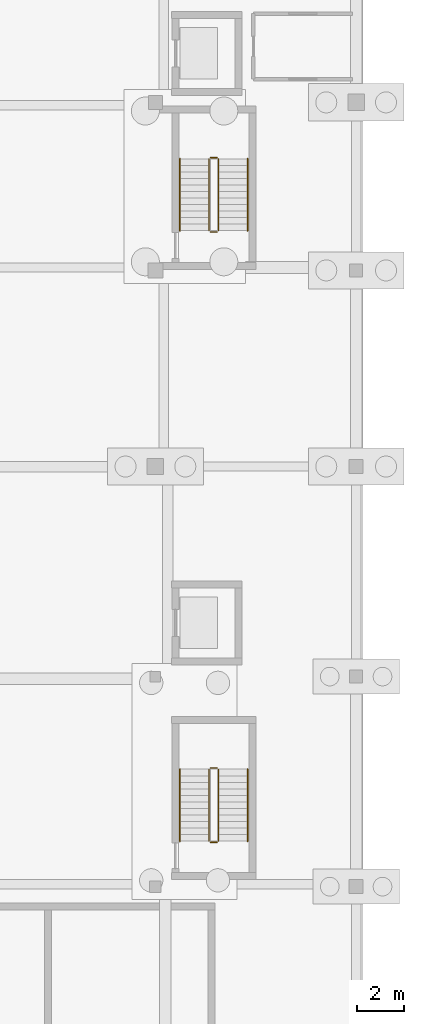
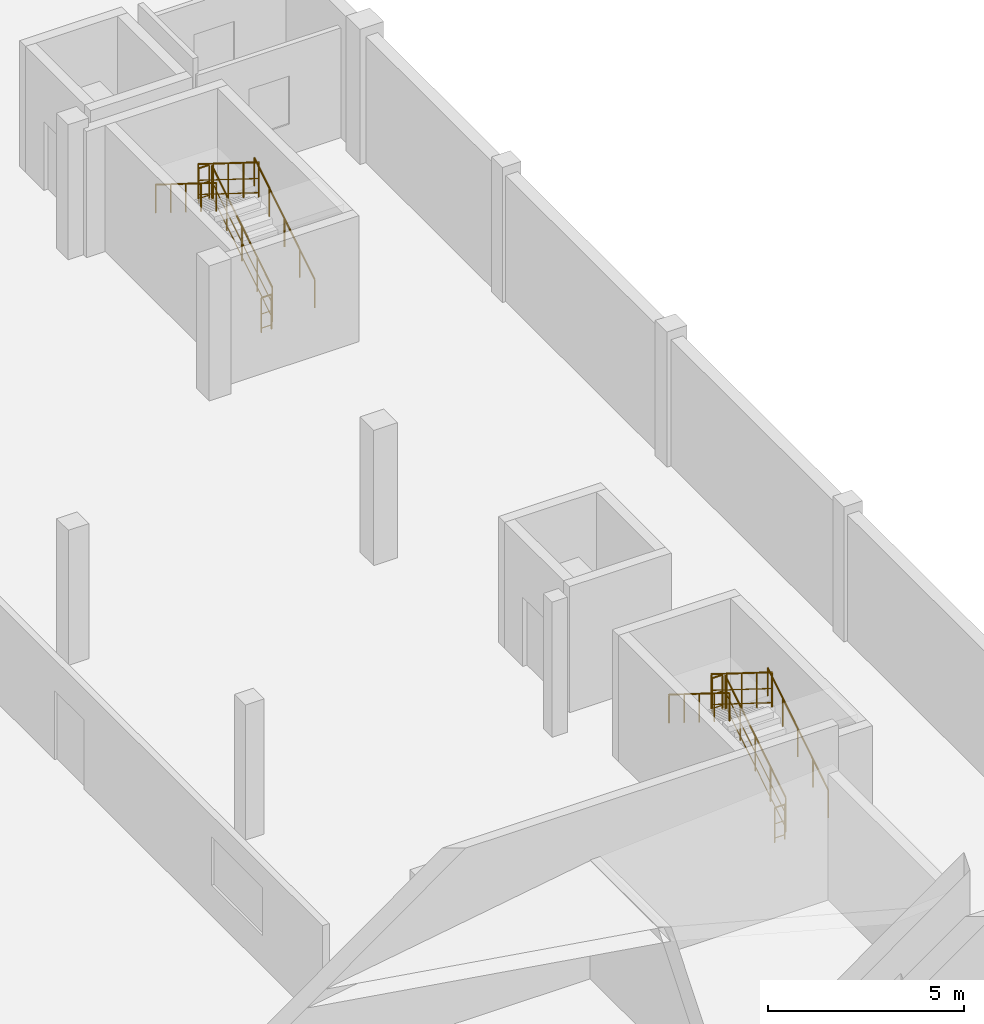
# One storey, part 33 of 34: 12 railings.
"""IFC4 building model written with IfcOpenShell, lengths in metres."""

from ifc_helpers import new_model, si_unit, direction, frame, origin, origin_2d, place, context, subcontext, project, spatial, circle, extrude, material, type_object, element, save


model = new_model("IFC4")

# Units and contexts
model_context = context("Model", 3, precision=1e-05, world=origin(), true_north=direction((0.0, 1.0)))
body_context = subcontext(model_context, "Body", "Model", "MODEL_VIEW")
ifc_project = project(units=[si_unit("LENGTHUNIT", "METRE"), si_unit("AREAUNIT", "SQUARE_METRE"), si_unit("VOLUMEUNIT", "CUBIC_METRE"), si_unit("PLANEANGLEUNIT", "RADIAN"), si_unit("MASSUNIT", "GRAM", prefix="KILO")], contexts=[model_context])

# Site, building, storey
site_placement = place(None, origin())
site = spatial("IfcSite", under=ifc_project, at=site_placement, CompositionType="ELEMENT")
building_placement = place(site_placement, origin())
building = spatial("IfcBuilding", under=site, at=building_placement, Name="Vinh Khe Railworks Police Headquarters", CompositionType="ELEMENT")
storey_placement = place(building_placement, frame((0.0, 0.0, -4.199951171875)))
storey = spatial("IfcBuildingStorey", under=building, at=storey_placement, Name="B1", CompositionType="ELEMENT", Elevation=-4.199951171875)

# Railings
ifc_material_1 = material(Name="Painted tubular steel", Category="steel")
railing_type_1 = type_object("IfcRailingType", Name="RL-GUARD-1100", PredefinedType="GUARDRAIL", material=ifc_material_1)
railing_1_placement = place(storey_placement, frame((107.699951171875, 132.5, 0.175048828125)))
element("IfcRailing", 1, at=railing_1_placement, inside=storey, type_object=railing_type_1, Name="B1 ST-03 stair guard 1", PredefinedType="GUARDRAIL", context=body_context, shape_type="SweptSolid", body=[
    extrude(circle(Radius=0.02392578125, at=origin_2d()), frame((0.0, 0.0, 1.076171875), z_axis=(0.0, 0.848028513186, 0.529950602248), x_axis=(-1.0, 0.0, 0.0)), (0.0, 0.0, 1.0), 3.632080078125),
    extrude(circle(Radius=0.01416015625, at=origin_2d()), frame((0.0, 0.0, 0.132080078125), z_axis=(0.0, 0.848028513186, 0.529950602248), x_axis=(-1.0, 0.0, 0.0)), (0.0, 0.0, 1.0), 3.632080078125),
    extrude(circle(Radius=0.01416015625, at=origin_2d()), frame((0.0, 0.0, 0.572021484375), z_axis=(0.0, 0.848028513186, 0.529950602248), x_axis=(-1.0, 0.0, 0.0)), (0.0, 0.0, 1.0), 3.632080078125),
    extrude(circle(Radius=0.02099609375, at=origin_2d()), origin(), (0.0, 0.0, 1.0), 1.052001953125),
    extrude(circle(Radius=0.02099609375, at=origin_2d()), frame((0.0, 0.77001953125, 0.481201171875)), (0.0, 0.0, 1.0), 1.052001953125),
    extrude(circle(Radius=0.02099609375, at=origin_2d()), frame((0.0, 1.5400390625, 0.96240234375)), (0.0, 0.0, 1.0), 1.052001953125),
    extrude(circle(Radius=0.02099609375, at=origin_2d()), frame((0.0, 2.31005859375, 1.443603515625)), (0.0, 0.0, 1.0), 1.052001953125),
    extrude(circle(Radius=0.02099609375, at=origin_2d()), frame((0.0, 3.080078125, 1.9248046875)), (0.0, 0.0, 1.0), 1.052001953125),
])
railing_2_placement = place(storey_placement, frame((107.64990234375, 135.6298828125, 2.099853515625)))
element("IfcRailing", 2, at=railing_2_placement, inside=storey, type_object=railing_type_1, Name="B1 ST-03 stair guard 2", PredefinedType="GUARDRAIL", context=body_context, shape_type="SweptSolid", body=[
    extrude(circle(Radius=0.02392578125, at=origin_2d()), frame((0.0, 0.0, 1.076171875), z_axis=(-1.0, 0.0, 0.0), x_axis=(0.0, -1.0, 0.0)), (0.0, 0.0, 1.0), 0.2998046875),
    extrude(circle(Radius=0.01416015625, at=origin_2d()), frame((0.0, 0.0, 0.132080078125), z_axis=(-1.0, 0.0, 0.0), x_axis=(0.0, -1.0, 0.0)), (0.0, 0.0, 1.0), 0.2998046875),
    extrude(circle(Radius=0.01416015625, at=origin_2d()), frame((0.0, 0.0, 0.572021484375), z_axis=(-1.0, 0.0, 0.0), x_axis=(0.0, -1.0, 0.0)), (0.0, 0.0, 1.0), 0.2998046875),
    extrude(circle(Radius=0.02099609375, at=origin_2d()), origin(), (0.0, 0.0, 1.0), 1.052001953125),
    extrude(circle(Radius=0.02099609375, at=origin_2d()), frame((-0.2998046875, 0.0, 0.0)), (0.0, 0.0, 1.0), 1.052001953125),
])
railing_3_placement = place(storey_placement, frame((107.300048828125, 135.580078125, 2.27490234375)))
element("IfcRailing", 3, at=railing_3_placement, inside=storey, type_object=railing_type_1, Name="B1 ST-03 stair guard 3", PredefinedType="GUARDRAIL", context=body_context, shape_type="SweptSolid", body=[
    extrude(circle(Radius=0.02392578125, at=origin_2d()), frame((0.0, 0.0, 1.076171875), z_axis=(0.0, -0.847998304005, 0.529998940003), x_axis=(1.0, 0.0, 0.0)), (0.0, 0.0, 1.0), 3.632080078125),
    extrude(circle(Radius=0.01416015625, at=origin_2d()), frame((0.0, 0.0, 0.132080078125), z_axis=(0.0, -0.847998304005, 0.529998940003), x_axis=(1.0, 0.0, 0.0)), (0.0, 0.0, 1.0), 3.632080078125),
    extrude(circle(Radius=0.01416015625, at=origin_2d()), frame((0.0, 0.0, 0.572021484375), z_axis=(0.0, -0.847998304005, 0.529998940003), x_axis=(1.0, 0.0, 0.0)), (0.0, 0.0, 1.0), 3.632080078125),
    extrude(circle(Radius=0.02099609375, at=origin_2d()), origin(), (0.0, 0.0, 1.0), 1.052001953125),
    extrude(circle(Radius=0.02099609375, at=origin_2d()), frame((0.0, -0.77001953125, 0.481201171875)), (0.0, 0.0, 1.0), 1.052001953125),
    extrude(circle(Radius=0.02099609375, at=origin_2d()), frame((0.0, -1.5400390625, 0.96240234375)), (0.0, 0.0, 1.0), 1.052001953125),
    extrude(circle(Radius=0.02099609375, at=origin_2d()), frame((0.0, -2.31005859375, 1.44384765625)), (0.0, 0.0, 1.0), 1.052001953125),
    extrude(circle(Radius=0.02099609375, at=origin_2d()), frame((0.0, -3.080078125, 1.925048828125)), (0.0, 0.0, 1.0), 1.052001953125),
])
railing_4_placement = place(storey_placement, frame((107.64990234375, 132.449951171875, 0.0)))
element("IfcRailing", 4, at=railing_4_placement, inside=storey, type_object=railing_type_1, Name="B1 ST-03 stair guard 4", PredefinedType="GUARDRAIL", context=body_context, shape_type="SweptSolid", body=[
    extrude(circle(Radius=0.02392578125, at=origin_2d()), frame((0.0, 0.0, 1.076171875), z_axis=(-1.0, 0.0, 0.0), x_axis=(0.0, -1.0, 0.0)), (0.0, 0.0, 1.0), 0.2998046875),
    extrude(circle(Radius=0.01416015625, at=origin_2d()), frame((0.0, 0.0, 0.132080078125), z_axis=(-1.0, 0.0, 0.0), x_axis=(0.0, -1.0, 0.0)), (0.0, 0.0, 1.0), 0.2998046875),
    extrude(circle(Radius=0.01416015625, at=origin_2d()), frame((0.0, 0.0, 0.572021484375), z_axis=(-1.0, 0.0, 0.0), x_axis=(0.0, -1.0, 0.0)), (0.0, 0.0, 1.0), 0.2998046875),
    extrude(circle(Radius=0.02099609375, at=origin_2d()), origin(), (0.0, 0.0, 1.0), 1.052001953125),
    extrude(circle(Radius=0.02099609375, at=origin_2d()), frame((-0.2998046875, 0.0, 0.0)), (0.0, 0.0, 1.0), 1.052001953125),
])
railing_5_placement = place(storey_placement, frame((107.699951171875, 106.35009765625, 0.175048828125)))
element("IfcRailing", 5, at=railing_5_placement, inside=storey, type_object=railing_type_1, Name="B1 ST-04 stair guard 1", PredefinedType="GUARDRAIL", context=body_context, shape_type="SweptSolid", body=[
    extrude(circle(Radius=0.02392578125, at=origin_2d()), frame((0.0, 0.0, 1.076171875), z_axis=(0.0, 0.848009633417, 0.529980812513), x_axis=(-1.0, 0.0, 0.0)), (0.0, 0.0, 1.0), 3.6318359375),
    extrude(circle(Radius=0.01416015625, at=origin_2d()), frame((0.0, 0.0, 0.132080078125), z_axis=(0.0, 0.848009633417, 0.529980812513), x_axis=(-1.0, 0.0, 0.0)), (0.0, 0.0, 1.0), 3.6318359375),
    extrude(circle(Radius=0.01416015625, at=origin_2d()), frame((0.0, 0.0, 0.572021484375), z_axis=(0.0, 0.848009633417, 0.529980812513), x_axis=(-1.0, 0.0, 0.0)), (0.0, 0.0, 1.0), 3.6318359375),
    extrude(circle(Radius=0.02099609375, at=origin_2d()), origin(), (0.0, 0.0, 1.0), 1.052001953125),
    extrude(circle(Radius=0.02099609375, at=origin_2d()), frame((0.0, 0.77001953125, 0.481201171875)), (0.0, 0.0, 1.0), 1.052001953125),
    extrude(circle(Radius=0.02099609375, at=origin_2d()), frame((0.0, 1.5400390625, 0.96240234375)), (0.0, 0.0, 1.0), 1.052001953125),
    extrude(circle(Radius=0.02099609375, at=origin_2d()), frame((0.0, 2.309814453125, 1.443603515625)), (0.0, 0.0, 1.0), 1.052001953125),
    extrude(circle(Radius=0.02099609375, at=origin_2d()), frame((0.0, 3.079833984375, 1.9248046875)), (0.0, 0.0, 1.0), 1.052001953125),
])
railing_6_placement = place(storey_placement, frame((107.64990234375, 109.47998046875, 2.099853515625)))
element("IfcRailing", 6, at=railing_6_placement, inside=storey, type_object=railing_type_1, Name="B1 ST-04 stair guard 2", PredefinedType="GUARDRAIL", context=body_context, shape_type="SweptSolid", body=[
    extrude(circle(Radius=0.02392578125, at=origin_2d()), frame((0.0, 0.0, 1.076171875), z_axis=(-1.0, 0.0, 0.0), x_axis=(0.0, -1.0, 0.0)), (0.0, 0.0, 1.0), 0.2998046875),
    extrude(circle(Radius=0.01416015625, at=origin_2d()), frame((0.0, 0.0, 0.132080078125), z_axis=(-1.0, 0.0, 0.0), x_axis=(0.0, -1.0, 0.0)), (0.0, 0.0, 1.0), 0.2998046875),
    extrude(circle(Radius=0.01416015625, at=origin_2d()), frame((0.0, 0.0, 0.572021484375), z_axis=(-1.0, 0.0, 0.0), x_axis=(0.0, -1.0, 0.0)), (0.0, 0.0, 1.0), 0.2998046875),
    extrude(circle(Radius=0.02099609375, at=origin_2d()), origin(), (0.0, 0.0, 1.0), 1.052001953125),
    extrude(circle(Radius=0.02099609375, at=origin_2d()), frame((-0.2998046875, 0.0, 0.0)), (0.0, 0.0, 1.0), 1.052001953125),
])
railing_7_placement = place(storey_placement, frame((107.300048828125, 109.429931640625, 2.27490234375)))
element("IfcRailing", 7, at=railing_7_placement, inside=storey, type_object=railing_type_1, Name="B1 ST-04 stair guard 3", PredefinedType="GUARDRAIL", context=body_context, shape_type="SweptSolid", body=[
    extrude(circle(Radius=0.02392578125, at=origin_2d()), frame((0.0, 0.0, 1.076171875), z_axis=(0.0, -0.847979421464, 0.530029150871), x_axis=(1.0, 0.0, 0.0)), (0.0, 0.0, 1.0), 3.632080078125),
    extrude(circle(Radius=0.01416015625, at=origin_2d()), frame((0.0, 0.0, 0.132080078125), z_axis=(0.0, -0.847979421464, 0.530029150871), x_axis=(1.0, 0.0, 0.0)), (0.0, 0.0, 1.0), 3.632080078125),
    extrude(circle(Radius=0.01416015625, at=origin_2d()), frame((0.0, 0.0, 0.572021484375), z_axis=(0.0, -0.847979421464, 0.530029150871), x_axis=(1.0, 0.0, 0.0)), (0.0, 0.0, 1.0), 3.632080078125),
    extrude(circle(Radius=0.02099609375, at=origin_2d()), origin(), (0.0, 0.0, 1.0), 1.052001953125),
    extrude(circle(Radius=0.02099609375, at=origin_2d()), frame((0.0, -0.77001953125, 0.481201171875)), (0.0, 0.0, 1.0), 1.052001953125),
    extrude(circle(Radius=0.02099609375, at=origin_2d()), frame((0.0, -1.5400390625, 0.96240234375)), (0.0, 0.0, 1.0), 1.052001953125),
    extrude(circle(Radius=0.02099609375, at=origin_2d()), frame((0.0, -2.309814453125, 1.44384765625)), (0.0, 0.0, 1.0), 1.052001953125),
    extrude(circle(Radius=0.02099609375, at=origin_2d()), frame((0.0, -3.079833984375, 1.925048828125)), (0.0, 0.0, 1.0), 1.052001953125),
])
railing_8_placement = place(storey_placement, frame((107.64990234375, 106.300048828125, 0.0)))
element("IfcRailing", 8, at=railing_8_placement, inside=storey, type_object=railing_type_1, Name="B1 ST-04 stair guard 4", PredefinedType="GUARDRAIL", context=body_context, shape_type="SweptSolid", body=[
    extrude(circle(Radius=0.02392578125, at=origin_2d()), frame((0.0, 0.0, 1.076171875), z_axis=(-1.0, 0.0, 0.0), x_axis=(0.0, -1.0, 0.0)), (0.0, 0.0, 1.0), 0.2998046875),
    extrude(circle(Radius=0.01416015625, at=origin_2d()), frame((0.0, 0.0, 0.132080078125), z_axis=(-1.0, 0.0, 0.0), x_axis=(0.0, -1.0, 0.0)), (0.0, 0.0, 1.0), 0.2998046875),
    extrude(circle(Radius=0.01416015625, at=origin_2d()), frame((0.0, 0.0, 0.572021484375), z_axis=(-1.0, 0.0, 0.0), x_axis=(0.0, -1.0, 0.0)), (0.0, 0.0, 1.0), 0.2998046875),
    extrude(circle(Radius=0.02099609375, at=origin_2d()), origin(), (0.0, 0.0, 1.0), 1.052001953125),
    extrude(circle(Radius=0.02099609375, at=origin_2d()), frame((-0.2998046875, 0.0, 0.0)), (0.0, 0.0, 1.0), 1.052001953125),
])
ifc_material_2 = material(Name="Brushed stainless steel", Category="steel")
railing_type_2 = type_object("IfcRailingType", Name="RL-HAND-900", PredefinedType="HANDRAIL", material=ifc_material_2)
railing_9_placement = place(storey_placement, frame((108.949951171875, 132.5, 0.175048828125)))
element("IfcRailing", 9, at=railing_9_placement, inside=storey, type_object=railing_type_2, Name="B1 ST-03 stair handrail 1", PredefinedType="HANDRAIL", context=body_context, shape_type="SweptSolid", body=[
    extrude(circle(Radius=0.02392578125, at=origin_2d()), frame((0.0, 0.0, 0.8759765625), z_axis=(0.0, 0.848028513186, 0.529950602248), x_axis=(-1.0, 0.0, 0.0)), (0.0, 0.0, 1.0), 3.632080078125),
    extrude(circle(Radius=0.02099609375, at=origin_2d()), origin(), (0.0, 0.0, 1.0), 0.851806640625),
    extrude(circle(Radius=0.02099609375, at=origin_2d()), frame((0.0, 0.77001953125, 0.481201171875)), (0.0, 0.0, 1.0), 0.851806640625),
    extrude(circle(Radius=0.02099609375, at=origin_2d()), frame((0.0, 1.5400390625, 0.96240234375)), (0.0, 0.0, 1.0), 0.851806640625),
    extrude(circle(Radius=0.02099609375, at=origin_2d()), frame((0.0, 2.31005859375, 1.443603515625)), (0.0, 0.0, 1.0), 0.851806640625),
    extrude(circle(Radius=0.02099609375, at=origin_2d()), frame((0.0, 3.080078125, 1.9248046875)), (0.0, 0.0, 1.0), 0.851806640625),
])
railing_10_placement = place(storey_placement, frame((106.050048828125, 135.580078125, 2.27490234375)))
element("IfcRailing", 10, at=railing_10_placement, inside=storey, type_object=railing_type_2, Name="B1 ST-03 stair handrail 2", PredefinedType="HANDRAIL", context=body_context, shape_type="SweptSolid", body=[
    extrude(circle(Radius=0.02392578125, at=origin_2d()), frame((0.0, 0.0, 0.8759765625), z_axis=(0.0, -0.847998304005, 0.529998940003), x_axis=(1.0, 0.0, 0.0)), (0.0, 0.0, 1.0), 3.632080078125),
    extrude(circle(Radius=0.02099609375, at=origin_2d()), origin(), (0.0, 0.0, 1.0), 0.851806640625),
    extrude(circle(Radius=0.02099609375, at=origin_2d()), frame((0.0, -0.77001953125, 0.481201171875)), (0.0, 0.0, 1.0), 0.851806640625),
    extrude(circle(Radius=0.02099609375, at=origin_2d()), frame((0.0, -1.5400390625, 0.96240234375)), (0.0, 0.0, 1.0), 0.851806640625),
    extrude(circle(Radius=0.02099609375, at=origin_2d()), frame((0.0, -2.31005859375, 1.44384765625)), (0.0, 0.0, 1.0), 0.851806640625),
    extrude(circle(Radius=0.02099609375, at=origin_2d()), frame((0.0, -3.080078125, 1.925048828125)), (0.0, 0.0, 1.0), 0.851806640625),
])
railing_11_placement = place(storey_placement, frame((108.949951171875, 106.35009765625, 0.175048828125)))
element("IfcRailing", 11, at=railing_11_placement, inside=storey, type_object=railing_type_2, Name="B1 ST-04 stair handrail 1", PredefinedType="HANDRAIL", context=body_context, shape_type="SweptSolid", body=[
    extrude(circle(Radius=0.02392578125, at=origin_2d()), frame((0.0, 0.0, 0.8759765625), z_axis=(0.0, 0.848009633417, 0.529980812513), x_axis=(-1.0, 0.0, 0.0)), (0.0, 0.0, 1.0), 3.6318359375),
    extrude(circle(Radius=0.02099609375, at=origin_2d()), origin(), (0.0, 0.0, 1.0), 0.851806640625),
    extrude(circle(Radius=0.02099609375, at=origin_2d()), frame((0.0, 0.77001953125, 0.481201171875)), (0.0, 0.0, 1.0), 0.851806640625),
    extrude(circle(Radius=0.02099609375, at=origin_2d()), frame((0.0, 1.5400390625, 0.96240234375)), (0.0, 0.0, 1.0), 0.851806640625),
    extrude(circle(Radius=0.02099609375, at=origin_2d()), frame((0.0, 2.309814453125, 1.443603515625)), (0.0, 0.0, 1.0), 0.851806640625),
    extrude(circle(Radius=0.02099609375, at=origin_2d()), frame((0.0, 3.079833984375, 1.9248046875)), (0.0, 0.0, 1.0), 0.851806640625),
])
railing_12_placement = place(storey_placement, frame((106.050048828125, 109.429931640625, 2.27490234375)))
element("IfcRailing", 12, at=railing_12_placement, inside=storey, type_object=railing_type_2, Name="B1 ST-04 stair handrail 2", PredefinedType="HANDRAIL", context=body_context, shape_type="SweptSolid", body=[
    extrude(circle(Radius=0.02392578125, at=origin_2d()), frame((0.0, 0.0, 0.8759765625), z_axis=(0.0, -0.847979421464, 0.530029150871), x_axis=(1.0, 0.0, 0.0)), (0.0, 0.0, 1.0), 3.632080078125),
    extrude(circle(Radius=0.02099609375, at=origin_2d()), origin(), (0.0, 0.0, 1.0), 0.851806640625),
    extrude(circle(Radius=0.02099609375, at=origin_2d()), frame((0.0, -0.77001953125, 0.481201171875)), (0.0, 0.0, 1.0), 0.851806640625),
    extrude(circle(Radius=0.02099609375, at=origin_2d()), frame((0.0, -1.5400390625, 0.96240234375)), (0.0, 0.0, 1.0), 0.851806640625),
    extrude(circle(Radius=0.02099609375, at=origin_2d()), frame((0.0, -2.309814453125, 1.44384765625)), (0.0, 0.0, 1.0), 0.851806640625),
    extrude(circle(Radius=0.02099609375, at=origin_2d()), frame((0.0, -3.079833984375, 1.925048828125)), (0.0, 0.0, 1.0), 0.851806640625),
])

save(model, "model.ifc")
